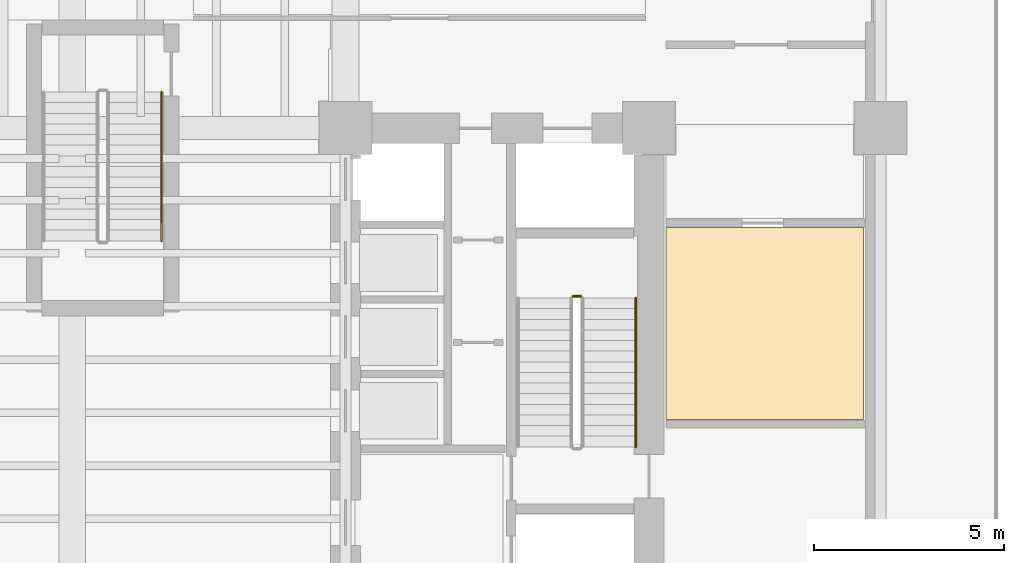
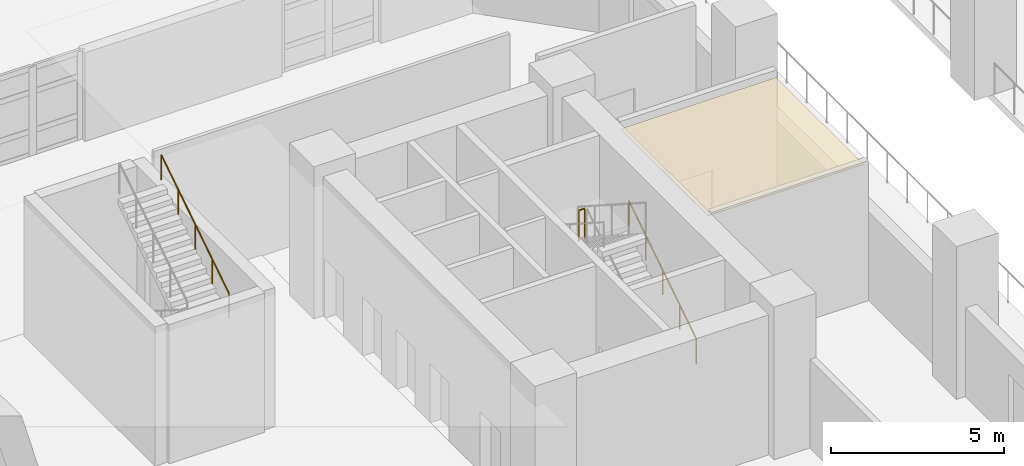
# One storey, part 9 of 12: 3 railings, 1 covering.
"""IFC4 building model written with IfcOpenShell, lengths in metres."""

from ifc_helpers import new_model, si_unit, direction, frame, origin, origin_2d, place, context, subcontext, project, spatial, polyline, circle, outline, extrude, material, layer, layer_set, type_object, element, save


model = new_model("IFC4")

# Units and contexts
model_context = context("Model", 3, precision=1e-05, world=origin(), true_north=direction((0.0, 1.0)))
body_context = subcontext(model_context, "Body", "Model", "MODEL_VIEW")
ifc_project = project(units=[si_unit("LENGTHUNIT", "METRE"), si_unit("AREAUNIT", "SQUARE_METRE"), si_unit("VOLUMEUNIT", "CUBIC_METRE"), si_unit("PLANEANGLEUNIT", "RADIAN"), si_unit("MASSUNIT", "GRAM", prefix="KILO")], contexts=[model_context])

# Site, building, storey
site_placement = place(None, origin())
site = spatial("IfcSite", under=ifc_project, at=site_placement, CompositionType="ELEMENT")
building_placement = place(site_placement, origin())
building = spatial("IfcBuilding", under=site, at=building_placement, Name="Kranthara Brick Stack", CompositionType="ELEMENT")
storey_placement = place(building_placement, origin())
storey = spatial("IfcBuildingStorey", under=building, at=storey_placement, Name="L00", CompositionType="ELEMENT", Elevation=0.0)

# Covering
ifc_material_1 = material(Name="Perforated mineral-fibre acoustic ceiling tile", Category="other")
ifc_layer = layer(ifc_material_1, 0.02490234375)
ifc_layer_set = layer_set([ifc_layer], Name="Perforated mineral-fibre acoustic ceiling tile")
covering_type = type_object("IfcCoveringType", Name="COV-CEIL-ACOUSTIC", PredefinedType="CEILING", material=ifc_layer_set)
covering_placement = place(storey_placement, frame((0.0, 0.0, 4.679931640625)))
element("IfcCovering", 1, at=covering_placement, inside=storey, type_object=covering_type, Name="L00 Fire Command Center Acoustic Ceiling", PredefinedType="CEILING", context=body_context, shape_type="SweptSolid", body=[
    extrude(outline(polyline([(48.85009765625, 25.919921875), (48.85009765625, 30.97998046875), (43.64990234375, 30.97998046875), (43.64990234375, 25.919921875), (48.85009765625, 25.919921875)])), origin(), (0.0, 0.0, 1.0), 0.025146484375),
])

# Railings
ifc_material_2 = material(Name="Painted galvanized steel stair guardrail", Category="steel")
railing_type_1 = type_object("IfcRailingType", Name="RL-STAIR-GUARD-1100", PredefinedType="GUARDRAIL", material=ifc_material_2)
railing_placement = place(storey_placement, frame((41.39990234375, 29.169921875, 2.699951171875)))
element("IfcRailing", 2, at=railing_placement, inside=storey, type_object=railing_type_1, Name="L00 ST02 stair guard 2", PredefinedType="GUARDRAIL", context=body_context, shape_type="SweptSolid", body=[
    extrude(circle(Radius=0.02392578125, at=origin_2d()), frame((0.0, 0.0, 1.076171875), z_axis=(-1.0, 0.0, 0.0), x_axis=(0.0, -1.0, 0.0)), (0.0, 0.0, 1.0), 0.199951171875),
    extrude(circle(Radius=0.02099609375, at=origin_2d()), origin(), (0.0, 0.0, 1.0), 1.052001953125),
    extrude(circle(Radius=0.02099609375, at=origin_2d()), frame((-0.199951171875, 0.0, 0.0)), (0.0, 0.0, 1.0), 1.052001953125),
])
ifc_material_3 = material(Name="Brushed stainless steel tubular handrail", Category="steel")
railing_type_2 = type_object("IfcRailingType", Name="RL-STAIR-HAND-900", PredefinedType="HANDRAIL", material=ifc_material_3)
for number, where, name in (
    (3, (42.85009765625, 25.199951171875, 0.179931640625), "L00 ST02 stair handrail 1"),
    (4, (30.35009765625, 30.6298828125, 2.8798828125), "L00 ST04 stair handrail 2"),
):
    element("IfcRailing", number, at=place(storey_placement, frame(where)), inside=storey, type_object=railing_type_2, Name=name, PredefinedType="HANDRAIL", context=body_context, shape_type="SweptSolid", body=[
        extrude(circle(Radius=0.02392578125, at=origin_2d()), frame((0.0, 0.0, 0.8759765625), z_axis=(0.0, 0.841186985886, 0.540744352514), x_axis=(-1.0, 0.0, 0.0)), (0.0, 0.0, 1.0), 4.660400390625),
        extrude(circle(Radius=0.02099609375, at=origin_2d()), origin(), (0.0, 0.0, 1.0), 0.851806640625),
        extrude(circle(Radius=0.02099609375, at=origin_2d()), frame((0.0, 0.97998046875, 0.6298828125)), (0.0, 0.0, 1.0), 0.851806640625),
        extrude(circle(Radius=0.02099609375, at=origin_2d()), frame((0.0, 1.9599609375, 1.260009765625)), (0.0, 0.0, 1.0), 0.851806640625),
        extrude(circle(Radius=0.02099609375, at=origin_2d()), frame((0.0, 2.940185546875, 1.89013671875)), (0.0, 0.0, 1.0), 0.851806640625),
        extrude(circle(Radius=0.02099609375, at=origin_2d()), frame((0.0, 3.920166015625, 2.52001953125)), (0.0, 0.0, 1.0), 0.851806640625),
    ])

save(model, "model.ifc")
